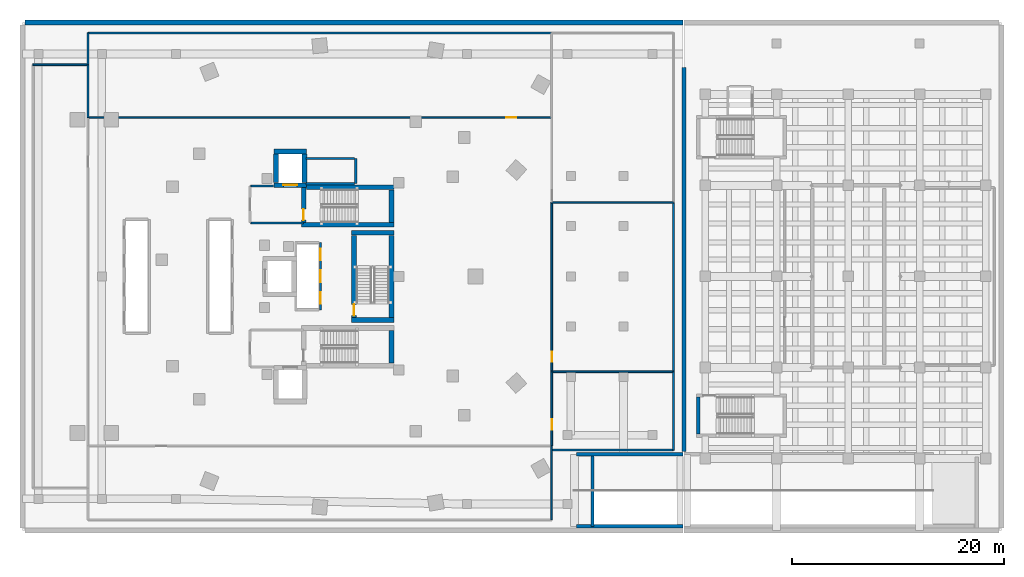
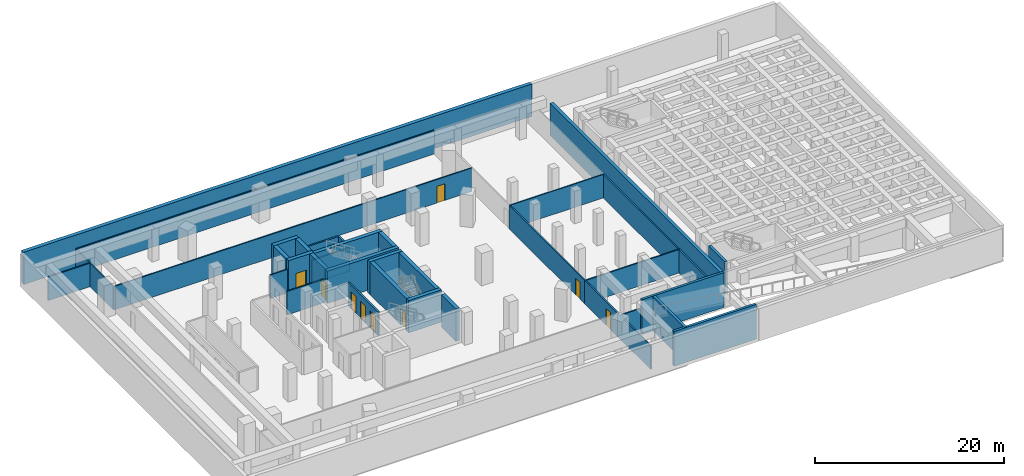
# One storey, part 8 of 13: 38 walls, 9 doors, 9 openings.
"""IFC4 building model written with IfcOpenShell, lengths in metres."""

from ifc_helpers import new_model, si_unit, direction, frame, frame_2d, origin, place, context, subcontext, project, spatial, rectangle, extrude, material, layer, layer_set, type_object, element, fill, save


model = new_model("IFC4")

# Units and contexts
model_context = context("Model", 3, precision=1e-05, world=origin(), true_north=direction((0.0, 1.0)))
body_context = subcontext(model_context, "Body", "Model", "MODEL_VIEW")
ifc_project = project(units=[si_unit("LENGTHUNIT", "METRE"), si_unit("AREAUNIT", "SQUARE_METRE"), si_unit("VOLUMEUNIT", "CUBIC_METRE"), si_unit("PLANEANGLEUNIT", "RADIAN"), si_unit("MASSUNIT", "GRAM", prefix="KILO")], contexts=[model_context])

# Site, building, storey
site_placement = place(None, origin())
site = spatial("IfcSite", under=ifc_project, at=site_placement, CompositionType="ELEMENT")
building_placement = place(site_placement, origin())
building = spatial("IfcBuilding", under=site, at=building_placement, Name="Korentha Bioscience Tower", CompositionType="ELEMENT")
storey_placement = place(building_placement, frame((0.0, 0.0, -4.5)))
storey = spatial("IfcBuildingStorey", under=building, at=storey_placement, Name="B1", CompositionType="ELEMENT", Elevation=-4.5)

# Wall, opening, door
ifc_material_1 = material(Name="Double-Stud Acoustic Gypsum", Category="gypsum")
ifc_layer_1 = layer(ifc_material_1, 0.14990234375, Name="Double-Stud Acoustic Gypsum")
ifc_layer_set_1 = layer_set([ifc_layer_1], Name="Double-Stud Acoustic Gypsum (IW-L150)")
wall_type_1 = type_object("IfcWallType", Name="Acoustic Laboratory Partition Wall 150", PredefinedType="PARTITIONING", material=ifc_layer_set_1)
wall_1_placement = place(storey_placement, frame((52.0, 42.010009765625, 0.0), z_axis=(0.0, 0.0, 1.0), x_axis=(-1.0, 0.0, 0.0)))
wall_1 = element("IfcWall", 1, at=wall_1_placement, inside=storey, type_object=wall_type_1, Name="B1 B1 Staff Car Park Bay North Entrance Wall", PredefinedType="PARTITIONING", context=body_context, shape_type="SweptSolid", body=[
    extrude(rectangle(XDim=43.7900390625, YDim=0.14990234375, at=frame_2d((21.89501953125, 0.0))), origin(), (0.0, 0.0, 1.0), 3.0400390625),
])
opening_1_placement = place(wall_1_placement, frame((3.332763671875, 0.0, 0.0)))
opening_1 = element("IfcOpeningElement", 2, at=opening_1_placement, cuts=wall_1, Name="Opening ID-10L", PredefinedType="OPENING", context=body_context, shape_type="SweptSolid", body=[
    extrude(rectangle(XDim=0.949951171875, YDim=2.14990234375, at=frame_2d((0.47509765625, 1.074951171875))), frame((0.0, 0.08984375, 0.0), z_axis=(0.0, -1.0, 0.0), x_axis=(1.0, 0.0, 0.0)), (0.0, 0.0, 1.0), 0.1796875),
])
ifc_material_2 = material(Name="Phenolic Laminate Timber Core", Category="wood")
door_type_1 = type_object("IfcDoorType", Name="Laboratory Single Leaf Door 950x2150 Left", OperationType="SINGLE_SWING_LEFT", PredefinedType="DOOR", material=ifc_material_2)
door_1_placement = place(opening_1_placement, origin())
door_1 = element("IfcDoor", 3, at=door_1_placement, inside=storey, type_object=door_type_1, Name="B1 B1 Staff Car Park Bay North Door", OperationType="SINGLE_SWING_LEFT", OverallHeight=2.14990234375, OverallWidth=0.949951171875, PredefinedType="DOOR", context=body_context, shape_type="SweptSolid", body=[
    extrude(rectangle(XDim=0.949951171875, YDim=2.14990234375, at=frame_2d((0.47509765625, 1.074951171875))), frame((0.0, 0.02490234375, 0.0), z_axis=(0.0, -1.0, 0.0), x_axis=(1.0, 0.0, 0.0)), (0.0, 0.0, 1.0), 0.050048828125),
])
fill(opening_1, door_1)

# Walls
wall_2_placement = place(storey_placement, frame((8.199951171875, 47.0, 0.0), z_axis=(0.0, 0.0, 1.0), x_axis=(0.0, -1.0, 0.0)))
element("IfcWall", 4, at=wall_2_placement, inside=storey, type_object=wall_type_1, Name="B1 Interior Partition 008", PredefinedType="PARTITIONING", context=body_context, shape_type="SweptSolid", body=[
    extrude(rectangle(XDim=4.989990234375, YDim=0.14990234375, at=frame_2d((2.4951171875, 0.0))), origin(), (0.0, 0.0, 1.0), 3.0400390625),
])
wall_3_placement = place(storey_placement, frame((3.0, 47.0, 0.0), z_axis=(0.0, 0.0, 1.0), x_axis=(1.0, 0.0, 0.0)))
element("IfcWall", 5, at=wall_3_placement, inside=storey, type_object=wall_type_1, Name="B1 Interior Partition 012", PredefinedType="PARTITIONING", context=body_context, shape_type="SweptSolid", body=[
    extrude(rectangle(XDim=5.199951171875, YDim=0.14990234375, at=frame_2d((2.60009765625, 0.0))), origin(), (0.0, 0.0, 1.0), 3.0400390625),
])
wall_4_placement = place(storey_placement, frame((8.199951171875, 47.010009765625, 0.0), z_axis=(0.0, 0.0, 1.0), x_axis=(0.0, 1.0, 0.0)))
element("IfcWall", 6, at=wall_4_placement, inside=storey, type_object=wall_type_1, Name="B1 Interior Partition 014", PredefinedType="PARTITIONING", context=body_context, shape_type="SweptSolid", body=[
    extrude(rectangle(XDim=2.989990234375, YDim=0.14990234375, at=frame_2d((1.4951171875, 0.0))), origin(), (0.0, 0.0, 1.0), 3.0400390625),
])
wall_5_placement = place(storey_placement, frame((8.199951171875, 50.0, 0.0), z_axis=(0.0, 0.0, 1.0), x_axis=(1.0, 0.0, 0.0)))
element("IfcWall", 7, at=wall_5_placement, inside=storey, type_object=wall_type_1, Name="B1 Interior Partition 015", PredefinedType="PARTITIONING", context=body_context, shape_type="SweptSolid", body=[
    extrude(rectangle(XDim=43.800048828125, YDim=0.14990234375, at=frame_2d((21.89990234375, 0.0))), origin(), (0.0, 0.0, 1.0), 3.0400390625),
])
wall_6_placement = place(storey_placement, frame((52.0, 10.989990234375, 0.0), z_axis=(0.0, 0.0, 1.0), x_axis=(0.0, -1.0, 0.0)))
element("IfcWall", 8, at=wall_6_placement, inside=storey, type_object=wall_type_1, Name="B1 Interior Partition 018", PredefinedType="PARTITIONING", context=body_context, shape_type="SweptSolid", body=[
    extrude(rectangle(XDim=6.989990234375, YDim=0.14990234375, at=frame_2d((3.4951171875, 0.0))), origin(), (0.0, 0.0, 1.0), 3.0400390625),
])
ifc_material_3 = material(Name="Concrete C50", Category="concrete")
ifc_layer_2 = layer(ifc_material_3, 0.449951171875, Name="Concrete C50")
ifc_layer_set_2 = layer_set([ifc_layer_2], Name="Concrete C50 (RW-01)")
wall_type_2 = type_object("IfcWallType", Name="Basement Perimeter Retaining Wall 450", PredefinedType="USERDEFINED", material=ifc_layer_set_2)
wall_7_placement = place(storey_placement, frame((2.25, 51.0, 0.0), z_axis=(0.0, 0.0, 1.0), x_axis=(1.0, 0.0, 0.0)))
element("IfcWall", 9, at=wall_7_placement, inside=storey, type_object=wall_type_2, Name="B1 Retaining Liner Wall NW", ObjectType="RETAININGWALL", PredefinedType="USERDEFINED", context=body_context, shape_type="SweptSolid", body=[
    extrude(rectangle(XDim=62.169921875, YDim=0.449951171875, at=frame_2d((31.0849609375, 0.0))), origin(), (0.0, 0.0, 1.0), 4.181884765625),
])
ifc_material_4 = material(Name="Gypsum-Clad Steel Stud", Category="steel")
ifc_layer_3 = layer(ifc_material_4, 0.159912109375, Name="Gypsum-Clad Steel Stud")
ifc_layer_set_3 = layer_set([ifc_layer_3], Name="Gypsum-Clad Steel Stud (IW-C160)")
wall_type_3 = type_object("IfcWallType", Name="Fire-Rated Corridor Partition Wall 160", PredefinedType="PARTITIONING", material=ifc_layer_set_3)
wall_8_placement = place(storey_placement, frame((23.580078125, 32.050048828125, 0.0), z_axis=(0.0, 0.0, 1.0), x_axis=(1.0, 0.0, 0.0)))
element("IfcWall", 10, at=wall_8_placement, inside=storey, type_object=wall_type_3, Name="B1 Firefighting Lobby Return Wall FFLN-S", PredefinedType="PARTITIONING", context=body_context, shape_type="SweptSolid", body=[
    extrude(rectangle(XDim=4.969970703125, YDim=0.159912109375, at=frame_2d((2.48486328125, 0.0))), origin(), (0.0, 0.0, 1.0), 3.0400390625),
])
wall_9_placement = place(storey_placement, frame((23.580078125, 35.550048828125, 0.0), z_axis=(0.0, 0.0, 1.0), x_axis=(1.0, 0.0, 0.0)))
element("IfcWall", 11, at=wall_9_placement, inside=storey, type_object=wall_type_3, Name="B1 Firefighting Lobby Return Wall FFLN-N", PredefinedType="PARTITIONING", context=body_context, shape_type="SweptSolid", body=[
    extrude(rectangle(XDim=2.119873046875, YDim=0.159912109375, at=frame_2d((1.06005859375, 0.0))), origin(), (0.0, 0.0, 1.0), 3.0400390625),
])

# Wall, opening, door
wall_10_placement = place(storey_placement, frame((52.010009765625, 18.0, 0.0), z_axis=(0.0, 0.0, 1.0), x_axis=(0.0, 1.0, 0.0)))
wall_10 = element("IfcWall", 12, at=wall_10_placement, inside=storey, type_object=wall_type_3, Name="B1 B1 Primary Chilled-Water & Thermal Ice Plant Entrance Wall", PredefinedType="PARTITIONING", context=body_context, shape_type="SweptSolid", body=[
    extrude(rectangle(XDim=15.989990234375, YDim=0.159912109375, at=frame_2d((7.9951171875, 0.0))), origin(), (0.0, 0.0, 1.0), 3.0400390625),
])
opening_2_placement = place(wall_10_placement, frame((0.950439453125, 0.0, 0.0)))
opening_2 = element("IfcOpeningElement", 13, at=opening_2_placement, cuts=wall_10, Name="Opening FD-120D", PredefinedType="OPENING", context=body_context, shape_type="SweptSolid", body=[
    extrude(rectangle(XDim=0.949951171875, YDim=2.14990234375, at=frame_2d((0.47509765625, 1.074951171875))), frame((0.0, 0.0947265625, 0.0), z_axis=(0.0, -1.0, 0.0), x_axis=(1.0, 0.0, 0.0)), (0.0, 0.0, 1.0), 0.189697265625),
])
ifc_material_5 = material(Name="Heavy-Duty Insulated Steel", Category="steel")
door_type_2 = type_object("IfcDoorType", Name="Plant & Riser Fire Door 950x2150 Left", OperationType="SINGLE_SWING_LEFT", PredefinedType="DOOR", material=ifc_material_5)
door_2_placement = place(opening_2_placement, origin())
door_2 = element("IfcDoor", 14, at=door_2_placement, inside=storey, type_object=door_type_2, Name="B1 B1 Primary Chilled-Water & Thermal Ice Plant Door", OperationType="SINGLE_SWING_LEFT", OverallHeight=2.14990234375, OverallWidth=0.949951171875, PredefinedType="DOOR", context=body_context, shape_type="SweptSolid", body=[
    extrude(rectangle(XDim=0.949951171875, YDim=2.14990234375, at=frame_2d((0.47509765625, 1.074951171875))), frame((0.0, 0.02490234375, 0.0), z_axis=(0.0, -1.0, 0.0), x_axis=(1.0, 0.0, 0.0)), (0.0, 0.0, 1.0), 0.050048828125),
])
fill(opening_2, door_2)

wall_11_placement = place(storey_placement, frame((52.010009765625, 11.0, 0.0), z_axis=(0.0, 0.0, 1.0), x_axis=(0.0, 1.0, 0.0)))
wall_11 = element("IfcWall", 15, at=wall_11_placement, inside=storey, type_object=wall_type_3, Name="B1 B1 Fire Sprinkler Tank & Domestic Booster Pump Room Entrance Wall", PredefinedType="PARTITIONING", context=body_context, shape_type="SweptSolid", body=[
    extrude(rectangle(XDim=6.989990234375, YDim=0.159912109375, at=frame_2d((3.4951171875, 0.0))), origin(), (0.0, 0.0, 1.0), 3.0400390625),
])
opening_3_placement = place(wall_11_placement, frame((1.5400390625, 0.0, 0.0)))
opening_3 = element("IfcOpeningElement", 16, at=opening_3_placement, cuts=wall_11, Name="Opening ID-10L", PredefinedType="OPENING", context=body_context, shape_type="SweptSolid", body=[
    extrude(rectangle(XDim=0.949951171875, YDim=2.14990234375, at=frame_2d((0.47509765625, 1.074951171875))), frame((0.0, 0.0947265625, 0.0), z_axis=(0.0, -1.0, 0.0), x_axis=(1.0, 0.0, 0.0)), (0.0, 0.0, 1.0), 0.189697265625),
])
door_3_placement = place(opening_3_placement, origin())
door_3 = element("IfcDoor", 17, at=door_3_placement, inside=storey, type_object=door_type_1, Name="B1 B1 Fire Sprinkler Tank & Domestic Booster Pump Room Door", OperationType="SINGLE_SWING_LEFT", OverallHeight=2.14990234375, OverallWidth=0.949951171875, PredefinedType="DOOR", context=body_context, shape_type="SweptSolid", body=[
    extrude(rectangle(XDim=0.949951171875, YDim=2.14990234375, at=frame_2d((0.47509765625, 1.074951171875))), frame((0.0, 0.02490234375, 0.0), z_axis=(0.0, -1.0, 0.0), x_axis=(1.0, 0.0, 0.0)), (0.0, 0.0, 1.0), 0.050048828125),
])
fill(opening_3, door_3)

# Walls
wall_12_placement = place(storey_placement, frame((63.5, 18.0, 0.0), z_axis=(0.0, 0.0, 1.0), x_axis=(-1.0, 0.0, 0.0)))
element("IfcWall", 18, at=wall_12_placement, inside=storey, type_object=wall_type_3, Name="B1 Interior Partition 022", PredefinedType="PARTITIONING", context=body_context, shape_type="SweptSolid", body=[
    extrude(rectangle(XDim=11.489990234375, YDim=0.159912109375, at=frame_2d((5.7451171875, 0.0))), origin(), (0.0, 0.0, 1.0), 3.0400390625),
])
wall_13_placement = place(storey_placement, frame((63.5, 33.989990234375, 0.0), z_axis=(0.0, 0.0, 1.0), x_axis=(0.0, -1.0, 0.0)))
element("IfcWall", 19, at=wall_13_placement, inside=storey, type_object=wall_type_3, Name="B1 Interior Partition 023", PredefinedType="PARTITIONING", context=body_context, shape_type="SweptSolid", body=[
    extrude(rectangle(XDim=15.989990234375, YDim=0.159912109375, at=frame_2d((7.9951171875, 0.0))), origin(), (0.0, 0.0, 1.0), 3.0400390625),
])
wall_14_placement = place(storey_placement, frame((63.5, 10.60009765625, 0.0), z_axis=(0.0, 0.0, 1.0), x_axis=(-1.0, 0.0, 0.0)))
element("IfcWall", 20, at=wall_14_placement, inside=storey, type_object=wall_type_3, Name="B1 Interior Partition 024", PredefinedType="PARTITIONING", context=body_context, shape_type="SweptSolid", body=[
    extrude(rectangle(XDim=11.489990234375, YDim=0.159912109375, at=frame_2d((5.7451171875, 0.0))), origin(), (0.0, 0.0, 1.0), 3.0400390625),
])
wall_15_placement = place(storey_placement, frame((63.5, 17.989990234375, 0.0), z_axis=(0.0, 0.0, 1.0), x_axis=(0.0, -1.0, 0.0)))
element("IfcWall", 21, at=wall_15_placement, inside=storey, type_object=wall_type_3, Name="B1 Interior Partition 025", PredefinedType="PARTITIONING", context=body_context, shape_type="SweptSolid", body=[
    extrude(rectangle(XDim=7.389892578125, YDim=0.159912109375, at=frame_2d((3.69482421875, 0.0))), origin(), (0.0, 0.0, 1.0), 3.0400390625),
])

# Wall, openings, doors
ifc_material_6 = material(Name="Autoclaved Aerated Concrete Block C25", Category="concrete")
ifc_layer_4 = layer(ifc_material_6, 0.199951171875, Name="Autoclaved Aerated Concrete Block C25")
ifc_layer_set_4 = layer_set([ifc_layer_4], Name="Autoclaved Aerated Concrete Block C25 (IW-S200)")
wall_type_4 = type_object("IfcWallType", Name="Lift and Riser Shaft Enclosure Wall 200", PredefinedType="PARTITIONING", material=ifc_layer_set_4)
wall_16_placement = place(storey_placement, frame((30.14990234375, 23.85009765625, 0.0), z_axis=(0.0, 0.0, 1.0), x_axis=(0.0, 1.0, 0.0)))
wall_16 = element("IfcWall", 22, at=wall_16_placement, inside=storey, type_object=wall_type_4, Name="B1 Lift Bank HIGH Shaft Wall +X", PredefinedType="PARTITIONING", context=body_context, shape_type="SweptSolid", body=[
    extrude(rectangle(XDim=6.349853515625, YDim=0.199951171875, at=frame_2d((3.1748046875, 0.0))), origin(), (0.0, 0.0, 1.0), 3.0400390625),
])
opening_4_placement = place(wall_16_placement, frame((0.580078125, 0.0, 0.0)))
opening_4 = element("IfcOpeningElement", 23, at=opening_4_placement, cuts=wall_16, Name="Opening LD-11", PredefinedType="OPENING", context=body_context, shape_type="SweptSolid", body=[
    extrude(rectangle(XDim=1.10009765625, YDim=2.199951171875, at=frame_2d((0.550048828125, 1.10009765625))), frame((0.0, 0.11474609375, 0.0), z_axis=(0.0, -1.0, 0.0), x_axis=(1.0, 0.0, 0.0)), (0.0, 0.0, 1.0), 0.229736328125),
])
opening_5_placement = place(wall_16_placement, frame((2.6201171875, 0.0, 0.0)))
opening_5 = element("IfcOpeningElement", 24, at=opening_5_placement, cuts=wall_16, Name="Opening LD-11", PredefinedType="OPENING", context=body_context, shape_type="SweptSolid", body=[
    extrude(rectangle(XDim=1.10009765625, YDim=2.199951171875, at=frame_2d((0.550048828125, 1.10009765625))), frame((0.0, 0.11474609375, 0.0), z_axis=(0.0, -1.0, 0.0), x_axis=(1.0, 0.0, 0.0)), (0.0, 0.0, 1.0), 0.229736328125),
])
opening_6_placement = place(wall_16_placement, frame((4.669921875, 0.0, 0.0)))
opening_6 = element("IfcOpeningElement", 25, at=opening_6_placement, cuts=wall_16, Name="Opening LD-11", PredefinedType="OPENING", context=body_context, shape_type="SweptSolid", body=[
    extrude(rectangle(XDim=1.10009765625, YDim=2.199951171875, at=frame_2d((0.550048828125, 1.10009765625))), frame((0.0, 0.11474609375, 0.0), z_axis=(0.0, -1.0, 0.0), x_axis=(1.0, 0.0, 0.0)), (0.0, 0.0, 1.0), 0.229736328125),
])
ifc_material_7 = material(Name="Brushed Stainless Steel 304", Category="steel")
door_type_3 = type_object("IfcDoorType", Name="Passenger Lift Sliding Landing Door 1100x2200", OperationType="DOUBLE_DOOR_SLIDING", PredefinedType="DOOR", material=ifc_material_7)
door_4_placement = place(opening_4_placement, origin())
door_4 = element("IfcDoor", 26, at=door_4_placement, inside=storey, type_object=door_type_3, Name="B1 PL-H1 Sliding Lift Landing Door", OperationType="DOUBLE_DOOR_SLIDING", OverallHeight=2.199951171875, OverallWidth=1.10009765625, PredefinedType="DOOR", context=body_context, shape_type="SweptSolid", body=[
    extrude(rectangle(XDim=1.10009765625, YDim=2.199951171875, at=frame_2d((0.550048828125, 1.10009765625))), frame((0.0, 0.02490234375, 0.0), z_axis=(0.0, -1.0, 0.0), x_axis=(1.0, 0.0, 0.0)), (0.0, 0.0, 1.0), 0.050048828125),
])
fill(opening_4, door_4)
door_5_placement = place(opening_5_placement, origin())
door_5 = element("IfcDoor", 27, at=door_5_placement, inside=storey, type_object=door_type_3, Name="B1 PL-H2 Sliding Lift Landing Door", OperationType="DOUBLE_DOOR_SLIDING", OverallHeight=2.199951171875, OverallWidth=1.10009765625, PredefinedType="DOOR", context=body_context, shape_type="SweptSolid", body=[
    extrude(rectangle(XDim=1.10009765625, YDim=2.199951171875, at=frame_2d((0.550048828125, 1.10009765625))), frame((0.0, 0.02490234375, 0.0), z_axis=(0.0, -1.0, 0.0), x_axis=(1.0, 0.0, 0.0)), (0.0, 0.0, 1.0), 0.050048828125),
])
fill(opening_5, door_5)
door_6_placement = place(opening_6_placement, origin())
door_6 = element("IfcDoor", 28, at=door_6_placement, inside=storey, type_object=door_type_3, Name="B1 PL-H3 Sliding Lift Landing Door", OperationType="DOUBLE_DOOR_SLIDING", OverallHeight=2.199951171875, OverallWidth=1.10009765625, PredefinedType="DOOR", context=body_context, shape_type="SweptSolid", body=[
    extrude(rectangle(XDim=1.10009765625, YDim=2.199951171875, at=frame_2d((0.550048828125, 1.10009765625))), frame((0.0, 0.02490234375, 0.0), z_axis=(0.0, -1.0, 0.0), x_axis=(1.0, 0.0, 0.0)), (0.0, 0.0, 1.0), 0.050048828125),
])
fill(opening_6, door_6)

# Walls
wall_17_placement = place(storey_placement, frame((33.489990234375, 35.760009765625, 0.0), z_axis=(0.0, 0.0, 1.0), x_axis=(0.0, 1.0, 0.0)))
element("IfcWall", 29, at=wall_17_placement, inside=storey, type_object=wall_type_4, Name="B1 Lift Bank OBS Shaft Wall +X", PredefinedType="PARTITIONING", context=body_context, shape_type="SweptSolid", body=[
    extrude(rectangle(XDim=2.3798828125, YDim=0.199951171875, at=frame_2d((1.18994140625, 0.0))), origin(), (0.0, 0.0, 1.0), 3.0400390625),
])
for number, where, z_axis, x_axis, name in (
    (30, (28.800048828125, 35.760009765625, 0.0), (0.0, 0.0, 1.0), (1.0, 0.0, 0.0), "B1 Lift Bank OBS Shaft Wall -Y"),
    (31, (28.800048828125, 38.139892578125, 0.0), (0.0, 0.0, 1.0), (1.0, 0.0, 0.0), "B1 Lift Bank OBS Shaft Wall +Y"),
):
    element("IfcWall", number, at=place(storey_placement, frame(where, z_axis=z_axis, x_axis=x_axis)), inside=storey, type_object=wall_type_4, Name=name, PredefinedType="PARTITIONING", context=body_context, shape_type="SweptSolid", body=[
        extrude(rectangle(XDim=4.570068359375, YDim=0.199951171875, at=frame_2d((2.28515625, 0.0))), origin(), (0.0, 0.0, 1.0), 3.0400390625),
    ])
ifc_material_8 = material(Name="Concrete C80", Category="concrete")
ifc_layer_5 = layer(ifc_material_8, 0.449951171875, Name="Concrete C80")
ifc_layer_set_5 = layer_set([ifc_layer_5], Name="Concrete C80 (CW-C80)")
wall_type_5 = type_object("IfcWallType", Name="Lower Core Shear Wall 450", PredefinedType="SHEAR", material=ifc_layer_set_5)
wall_18_placement = place(storey_placement, frame((28.85205078125, 35.425048828125, 0.0), z_axis=(0.0, 0.0, 1.0), x_axis=(1.0, 0.0, 0.0)))
element("IfcWall", 32, at=wall_18_placement, inside=storey, type_object=wall_type_5, Name="B1 Core Shear Wall ST1-N", PredefinedType="SHEAR", context=body_context, shape_type="SweptSolid", body=[
    extrude(rectangle(XDim=8.248046875, YDim=0.449951171875, at=frame_2d((4.1240234375, 0.0))), origin(), (0.0, 0.0, 1.0), 4.179931640625),
])
wall_19_placement = place(storey_placement, frame((28.35009765625, 31.875, 0.0), z_axis=(0.0, 0.0, 1.0), x_axis=(1.0, 0.0, 0.0)))
element("IfcWall", 33, at=wall_19_placement, inside=storey, type_object=wall_type_5, Name="B1 Core Shear Wall ST1-S", PredefinedType="SHEAR", context=body_context, shape_type="SweptSolid", body=[
    extrude(rectangle(XDim=8.75, YDim=0.449951171875, at=frame_2d((4.375, 0.0))), origin(), (0.0, 0.0, 1.0), 4.179931640625),
])
wall_20_placement = place(storey_placement, frame((36.875, 32.110107421875, 0.0), z_axis=(0.0, 0.0, 1.0), x_axis=(0.0, 1.0, 0.0)))
element("IfcWall", 34, at=wall_20_placement, inside=storey, type_object=wall_type_5, Name="B1 Core Shear Wall ST1-E", PredefinedType="SHEAR", context=body_context, shape_type="SweptSolid", body=[
    extrude(rectangle(XDim=3.079833984375, YDim=0.449951171875, at=frame_2d((1.5400390625, 0.0))), origin(), (0.0, 0.0, 1.0), 4.179931640625),
])

# Wall, opening, door
wall_21_placement = place(storey_placement, frame((28.574951171875, 32.110107421875, 0.0), z_axis=(0.0, 0.0, 1.0), x_axis=(0.0, 1.0, 0.0)))
wall_21 = element("IfcWall", 35, at=wall_21_placement, inside=storey, type_object=wall_type_5, Name="B1 Core Shear Wall ST1-W", PredefinedType="SHEAR", context=body_context, shape_type="SweptSolid", body=[
    extrude(rectangle(XDim=3.282958984375, YDim=0.449951171875, at=frame_2d((1.6416015625, 0.0))), origin(), (0.0, 0.0, 1.0), 4.179931640625),
])
opening_7_placement = place(wall_21_placement, frame((0.199951171875, 0.0, 0.0)))
opening_7 = element("IfcOpeningElement", 36, at=opening_7_placement, cuts=wall_21, Name="Opening FD-90R", PredefinedType="OPENING", context=body_context, shape_type="SweptSolid", body=[
    extrude(rectangle(XDim=1.050048828125, YDim=2.14990234375, at=frame_2d((0.52490234375, 1.074951171875))), frame((0.0, 0.23974609375, 0.0), z_axis=(0.0, -1.0, 0.0), x_axis=(1.0, 0.0, 0.0)), (0.0, 0.0, 1.0), 0.479736328125),
])
ifc_material_9 = material(Name="Powder-Coated Fire-Rated Steel", Category="steel")
door_type_4 = type_object("IfcDoorType", Name="Stairwell Fire Exit Door 1050x2150 Right", OperationType="SINGLE_SWING_RIGHT", PredefinedType="DOOR", material=ifc_material_9)
door_7_placement = place(opening_7_placement, origin())
door_7 = element("IfcDoor", 37, at=door_7_placement, inside=storey, type_object=door_type_4, Name="B1 ST-1 Fire Exit Stair Door", OperationType="SINGLE_SWING_RIGHT", OverallHeight=2.14990234375, OverallWidth=1.050048828125, PredefinedType="DOOR", context=body_context, shape_type="SweptSolid", body=[
    extrude(rectangle(XDim=1.050048828125, YDim=2.14990234375, at=frame_2d((0.52490234375, 1.074951171875))), frame((0.0, 0.02490234375, 0.0), z_axis=(0.0, -1.0, 0.0), x_axis=(1.0, 0.0, 0.0)), (0.0, 0.0, 1.0), 0.050048828125),
])
fill(opening_7, door_7)

# Walls
wall_22_placement = place(storey_placement, frame((36.875, 18.81005859375, 0.0), z_axis=(0.0, 0.0, 1.0), x_axis=(0.0, 1.0, 0.0)))
element("IfcWall", 38, at=wall_22_placement, inside=storey, type_object=wall_type_5, Name="B1 Core Shear Wall ST2-E", PredefinedType="SHEAR", context=body_context, shape_type="SweptSolid", body=[
    extrude(rectangle(XDim=3.079833984375, YDim=0.449951171875, at=frame_2d((1.5400390625, 0.0))), origin(), (0.0, 0.0, 1.0), 4.179931640625),
])
for number, where, z_axis, x_axis, name in (
    (39, (33.10009765625, 31.125, 0.0), (0.0, 0.0, 1.0), (1.0, 0.0, 0.0), "B1 Core Shear Wall ST3-N"),
    (40, (33.10009765625, 22.875, 0.0), (0.0, 0.0, 1.0), (1.0, 0.0, 0.0), "B1 Core Shear Wall ST3-S"),
):
    element("IfcWall", number, at=place(storey_placement, frame(where, z_axis=z_axis, x_axis=x_axis)), inside=storey, type_object=wall_type_5, Name=name, PredefinedType="SHEAR", context=body_context, shape_type="SweptSolid", body=[
        extrude(rectangle(XDim=4.0, YDim=0.449951171875, at=frame_2d((2.0, 0.0))), origin(), (0.0, 0.0, 1.0), 4.179931640625),
    ])
wall_23_placement = place(storey_placement, frame((36.875, 23.110107421875, 0.0), z_axis=(0.0, 0.0, 1.0), x_axis=(0.0, 1.0, 0.0)))
element("IfcWall", 41, at=wall_23_placement, inside=storey, type_object=wall_type_5, Name="B1 Core Shear Wall ST3-E", PredefinedType="SHEAR", context=body_context, shape_type="SweptSolid", body=[
    extrude(rectangle(XDim=7.77978515625, YDim=0.449951171875, at=frame_2d((3.889892578125, 0.0))), origin(), (0.0, 0.0, 1.0), 4.179931640625),
])

# Wall, opening, door
wall_24_placement = place(storey_placement, frame((33.324951171875, 23.110107421875, 0.0), z_axis=(0.0, 0.0, 1.0), x_axis=(0.0, 1.0, 0.0)))
wall_24 = element("IfcWall", 42, at=wall_24_placement, inside=storey, type_object=wall_type_5, Name="B1 Core Shear Wall ST3-W", PredefinedType="SHEAR", context=body_context, shape_type="SweptSolid", body=[
    extrude(rectangle(XDim=7.77978515625, YDim=0.449951171875, at=frame_2d((3.889892578125, 0.0))), origin(), (0.0, 0.0, 1.0), 4.179931640625),
])
opening_8_placement = place(wall_24_placement, frame((0.199951171875, 0.0, 0.0)))
opening_8 = element("IfcOpeningElement", 43, at=opening_8_placement, cuts=wall_24, Name="Opening FD-90R", PredefinedType="OPENING", context=body_context, shape_type="SweptSolid", body=[
    extrude(rectangle(XDim=1.050048828125, YDim=2.14990234375, at=frame_2d((0.52490234375, 1.074951171875))), frame((0.0, 0.23974609375, 0.0), z_axis=(0.0, -1.0, 0.0), x_axis=(1.0, 0.0, 0.0)), (0.0, 0.0, 1.0), 0.479736328125),
])
door_8_placement = place(opening_8_placement, origin())
door_8 = element("IfcDoor", 44, at=door_8_placement, inside=storey, type_object=door_type_4, Name="B1 ST-3 Fire Exit Stair Door", OperationType="SINGLE_SWING_RIGHT", OverallHeight=2.14990234375, OverallWidth=1.050048828125, PredefinedType="DOOR", context=body_context, shape_type="SweptSolid", body=[
    extrude(rectangle(XDim=1.050048828125, YDim=2.14990234375, at=frame_2d((0.52490234375, 1.074951171875))), frame((0.0, 0.02490234375, 0.0), z_axis=(0.0, -1.0, 0.0), x_axis=(1.0, 0.0, 0.0)), (0.0, 0.0, 1.0), 0.050048828125),
])
fill(opening_8, door_8)

# Wall
wall_25_placement = place(storey_placement, frame((25.75, 38.800048828125, 0.0), z_axis=(0.0, 0.0, 1.0), x_axis=(1.0, 0.0, 0.0)))
element("IfcWall", 45, at=wall_25_placement, inside=storey, type_object=wall_type_5, Name="B1 Core Shear Wall FFL2-N", PredefinedType="SHEAR", context=body_context, shape_type="SweptSolid", body=[
    extrude(rectangle(XDim=3.10009765625, YDim=0.449951171875, at=frame_2d((1.550048828125, 0.0))), origin(), (0.0, 0.0, 1.0), 4.179931640625),
])

# Wall, opening, door
wall_26_placement = place(storey_placement, frame((25.75, 35.6201171875, 0.0), z_axis=(0.0, 0.0, 1.0), x_axis=(1.0, 0.0, 0.0)))
wall_26 = element("IfcWall", 46, at=wall_26_placement, inside=storey, type_object=wall_type_5, Name="B1 Core Shear Wall FFL2-S", PredefinedType="SHEAR", context=body_context, shape_type="SweptSolid", body=[
    extrude(rectangle(XDim=3.10009765625, YDim=0.449951171875, at=frame_2d((1.550048828125, 0.0))), origin(), (0.0, 0.0, 1.0), 4.179931640625),
])
opening_9_placement = place(wall_26_placement, frame((0.89990234375, 0.0, 0.0)))
opening_9 = element("IfcOpeningElement", 47, at=opening_9_placement, cuts=wall_26, Name="Opening LD-13", PredefinedType="OPENING", context=body_context, shape_type="SweptSolid", body=[
    extrude(rectangle(XDim=1.300048828125, YDim=2.199951171875, at=frame_2d((0.64990234375, 1.10009765625))), frame((0.0, 0.23974609375, 0.0), z_axis=(0.0, -1.0, 0.0), x_axis=(1.0, 0.0, 0.0)), (0.0, 0.0, 1.0), 0.479736328125),
])
ifc_material_10 = material(Name="Brushed Stainless Steel 316", Category="steel")
door_type_5 = type_object("IfcDoorType", Name="Service & Firefighting Lift Landing Door 1300x2300", OperationType="DOUBLE_DOOR_SLIDING", PredefinedType="DOOR", material=ifc_material_10)
door_9_placement = place(opening_9_placement, origin())
door_9 = element("IfcDoor", 48, at=door_9_placement, inside=storey, type_object=door_type_5, Name="B1 FFL-2 Sliding Lift Landing Door", OperationType="DOUBLE_DOOR_SLIDING", OverallHeight=2.199951171875, OverallWidth=1.300048828125, PredefinedType="DOOR", context=body_context, shape_type="SweptSolid", body=[
    extrude(rectangle(XDim=1.300048828125, YDim=2.199951171875, at=frame_2d((0.64990234375, 1.10009765625))), frame((0.0, 0.02490234375, 0.0), z_axis=(0.0, -1.0, 0.0), x_axis=(1.0, 0.0, 0.0)), (0.0, 0.0, 1.0), 0.050048828125),
])
fill(opening_9, door_9)

# Walls
for number, where, z_axis, x_axis, name in (
    (49, (25.949951171875, 35.860107421875, 0.0), (0.0, 0.0, 1.0), (0.0, 1.0, 0.0), "B1 Core Shear Wall FFL2-W"),
    (50, (28.64990234375, 35.860107421875, 0.0), (0.0, 0.0, 1.0), (0.0, 1.0, 0.0), "B1 Core Shear Wall FFL2-E"),
):
    element("IfcWall", number, at=place(storey_placement, frame(where, z_axis=z_axis, x_axis=x_axis)), inside=storey, type_object=wall_type_5, Name=name, PredefinedType="SHEAR", context=body_context, shape_type="SweptSolid", body=[
        extrude(rectangle(XDim=2.699951171875, YDim=0.449951171875, at=frame_2d((1.35009765625, 0.0))), origin(), (0.0, 0.0, 1.0), 4.179931640625),
    ])
ifc_layer_6 = layer(ifc_material_3, 0.300048828125, Name="Concrete C50")
ifc_layer_set_6 = layer_set([ifc_layer_6], Name="Concrete C50 (RW-SH300)")
wall_type_6 = type_object("IfcWallType", Name="Ramp Shaft Structural Wall 300", PredefinedType="SHEAR", material=ifc_layer_set_6)
for number, where, z_axis, x_axis, name in (
    (51, (54.35009765625, 10.199951171875, 0.0), (0.0, 0.0, 1.0), (1.0, 0.0, 0.0), "B1 Vehicle Ramp Enclosure Wall NW"),
    (52, (54.35009765625, 3.39990234375, 0.0), (0.0, 0.0, 1.0), (1.0, 0.0, 0.0), "B1 Vehicle Ramp Enclosure Wall SW"),
):
    element("IfcWall", number, at=place(storey_placement, frame(where, z_axis=z_axis, x_axis=x_axis)), inside=storey, type_object=wall_type_6, Name=name, PredefinedType="SHEAR", context=body_context, shape_type="SweptSolid", body=[
        extrude(rectangle(XDim=10.06982421875, YDim=0.300048828125, at=frame_2d((5.034912109375, 0.0))), origin(), (0.0, 0.0, 1.0), 4.5),
    ])
wall_27_placement = place(storey_placement, frame((55.85009765625, 3.39990234375, 0.0), z_axis=(0.0, 0.0, 1.0), x_axis=(0.0, 1.0, 0.0)))
element("IfcWall", 53, at=wall_27_placement, inside=storey, type_object=wall_type_6, Name="B1 Vehicle Ramp Enclosure Wall W", PredefinedType="SHEAR", context=body_context, shape_type="SweptSolid", body=[
    extrude(rectangle(XDim=6.650146484375, YDim=0.300048828125, at=frame_2d((3.3251953125, 0.0))), origin(), (0.0, 0.0, 1.0), 4.5),
])
ifc_layer_7 = layer(ifc_material_3, 0.320068359375, Name="Concrete C50")
ifc_layer_set_7 = layer_set([ifc_layer_7], Name="Concrete C50 (TW-S320)")
wall_type_7 = type_object("IfcWallType", Name="Theatre Acoustic Shell Inner Wall 320", PredefinedType="SHEAR", material=ifc_layer_set_7)
wall_28_placement = place(storey_placement, frame((65.840087890625, 12.110107421875, 0.0), z_axis=(0.0, 0.0, 1.0), x_axis=(0.0, 1.0, 0.0)))
element("IfcWall", 54, at=wall_28_placement, inside=storey, type_object=wall_type_7, Name="B1 Theatre Substructure Wall STT1-W", PredefinedType="SHEAR", context=body_context, shape_type="SweptSolid", body=[
    extrude(rectangle(XDim=3.47998046875, YDim=0.320068359375, at=frame_2d((1.739990234375, 0.0))), origin(), (0.0, 0.0, 1.0), 4.179931640625),
])
ifc_layer_8 = layer(ifc_material_3, 0.3798828125, Name="Concrete C50")
ifc_layer_set_8 = layer_set([ifc_layer_8], Name="Concrete C50 (TW-I380)")
wall_type_8 = type_object("IfcWallType", Name="Theatre Proscenium Shear Wall 380", PredefinedType="SHEAR", material=ifc_layer_set_8)
wall_29_placement = place(storey_placement, frame((64.5, 10.449951171875, 0.0), z_axis=(0.0, 0.0, 1.0), x_axis=(0.0, 1.0, 0.0)))
element("IfcWall", 55, at=wall_29_placement, inside=storey, type_object=wall_type_8, Name="B1 Theatre West Joint Substructure Shear Wall", PredefinedType="SHEAR", context=body_context, shape_type="SweptSolid", body=[
    extrude(rectangle(XDim=36.300048828125, YDim=0.3798828125, at=frame_2d((18.14990234375, 0.0))), origin(), (0.0, 0.0, 1.0), 4.179931640625),
])
ifc_material_11 = material(Name="Cement-Board Steel Stud", Category="steel")
ifc_layer_9 = layer(ifc_material_11, 0.1298828125, Name="Cement-Board Steel Stud")
ifc_layer_set_9 = layer_set([ifc_layer_9], Name="Cement-Board Steel Stud (IW-W130)")
wall_type_9 = type_object("IfcWallType", Name="Wet-Area Moisture-Resistant Partition 130", PredefinedType="PARTITIONING", material=ifc_layer_set_9)
wall_30_placement = place(storey_placement, frame((63.5, 34.0, 0.0), z_axis=(0.0, 0.0, 1.0), x_axis=(-1.0, 0.0, 0.0)))
element("IfcWall", 56, at=wall_30_placement, inside=storey, type_object=wall_type_9, Name="B1 Interior Partition 020", PredefinedType="PARTITIONING", context=body_context, shape_type="SweptSolid", body=[
    extrude(rectangle(XDim=11.489990234375, YDim=0.1298828125, at=frame_2d((5.7451171875, 0.0))), origin(), (0.0, 0.0, 1.0), 3.0400390625),
])

save(model, "model.ifc")
